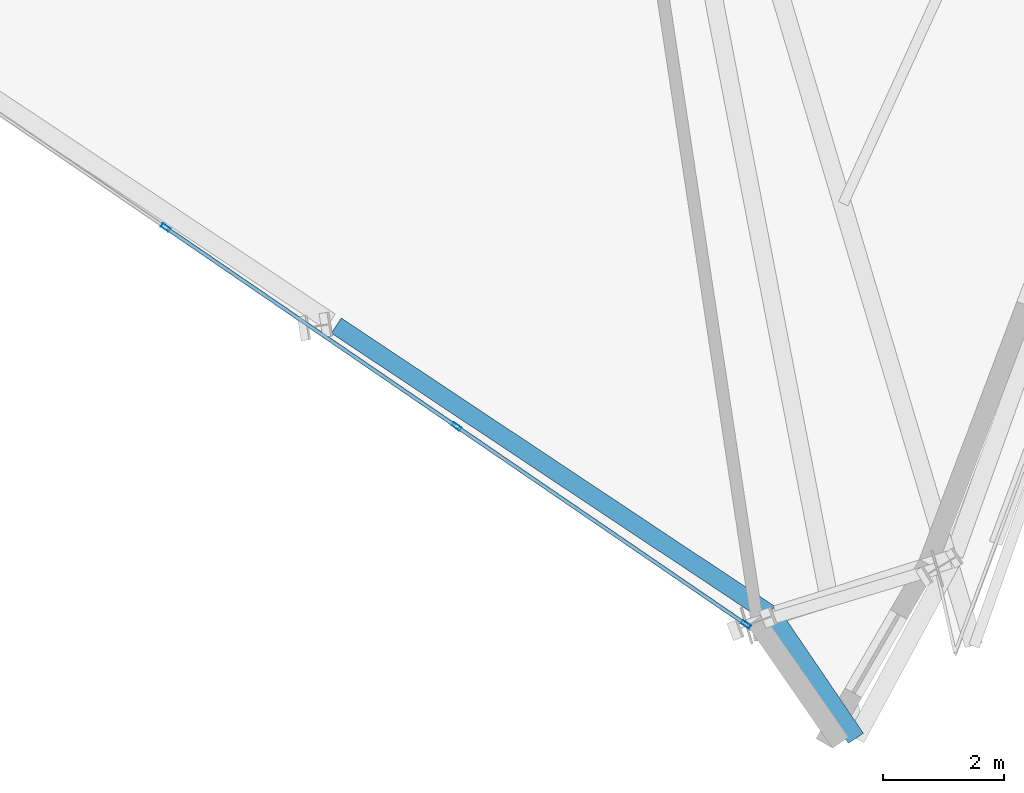
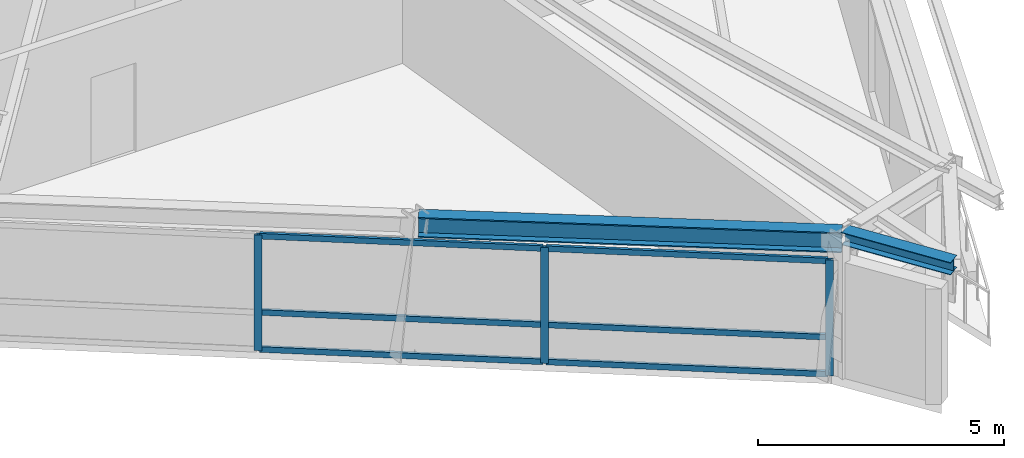
# One storey, part 3 of 13: 9 members, 2 beams, 1 element without a shape of its own.
"""IFC4 building model written with IfcOpenShell, lengths in metres."""

from ifc_helpers import new_model, si_unit, direction, frame, origin, origin_2d, place, context, subcontext, project, spatial, hollow_rectangle, i_section, extrude, source, transform, mapped, material, material_profile, profile_set, type_object, element, aggregate, save


model = new_model("IFC4")

# Units and contexts
model_context = context("Model", 3, precision=1e-05, world=origin(), true_north=direction((0.0, 1.0)))
body_context = subcontext(model_context, "Body", "Model", "MODEL_VIEW")
ifc_project = project(units=[si_unit("LENGTHUNIT", "METRE"), si_unit("AREAUNIT", "SQUARE_METRE"), si_unit("VOLUMEUNIT", "CUBIC_METRE"), si_unit("PLANEANGLEUNIT", "RADIAN"), si_unit("MASSUNIT", "GRAM", prefix="KILO")], contexts=[model_context])

# Site, building, storey
site_placement = place(None, origin())
site = spatial("IfcSite", under=ifc_project, at=site_placement, CompositionType="ELEMENT")
building_placement = place(site_placement, origin())
building = spatial("IfcBuilding", under=site, at=building_placement, Name="Olszyna Solenne Hotel", CompositionType="ELEMENT")
storey_placement = place(building_placement, frame((0.0, 0.0, 241.699951171875)))
storey = spatial("IfcBuildingStorey", under=building, at=storey_placement, Name="L64", CompositionType="ELEMENT", Elevation=241.699951171875)

# Beams
ifc_material_1 = material(Name="Steel S355J2", Category="steel")
ifc_material_profile_1 = material_profile(ifc_material_1, i_section(OverallWidth=0.300048828125, OverallDepth=0.5, WebThickness=0.014404296875, FlangeThickness=0.028076171875, at=origin_2d()), Name="HEB 500", Category="load-bearing")
ifc_profile_set_1 = profile_set([ifc_material_profile_1], Name="Steel S355J2")
beam_type_1 = type_object("IfcBeamType", Name="BM-S3", PredefinedType="BEAM", material=ifc_profile_set_1)
shared_shape_1 = source(origin(), body_context, "Body", "SweptSolid", [
    extrude(i_section(OverallWidth=0.300048828125, OverallDepth=0.5, WebThickness=0.014404296875, FlangeThickness=0.028076171875, at=origin_2d()), origin(), (0.0, 0.0, 1.0), 8.616943359375),
])
beam_1_placement = place(storey_placement, frame((34.548095703125, 8.16259765625, 3.130126953125), z_axis=(0.832729656629, -0.553679798232, 0.0), x_axis=(0.553679798232, 0.832729656629, 0.0)))
element("IfcBeam", 1, at=beam_1_placement, inside=storey, type_object=beam_type_1, Name="Perimeter spandrel beam BM-S3 B-L64-1890", PredefinedType="BEAM", context=body_context, shape_type="MappedRepresentation", body=[
    mapped(shared_shape_1, transform((0.0, 0.0, 0.0), x_axis=(1.0, 0.0, 0.0), y_axis=(0.0, 1.0, 0.0), z_axis=(0.0, 0.0, 1.0), scale=1.0)),
])
ifc_material_profile_2 = material_profile(ifc_material_1, i_section(OverallWidth=0.300048828125, OverallDepth=0.31005859375, WebThickness=0.009033203125, FlangeThickness=0.015380859375, at=origin_2d()), Name="HEA 320", Category="load-bearing")
ifc_profile_set_2 = profile_set([ifc_material_profile_2], Name="Steel S355J2")
beam_type_2 = type_object("IfcBeamType", Name="BM-G3", PredefinedType="BEAM", material=ifc_profile_set_2)
shared_shape_2 = source(origin(), body_context, "Body", "SweptSolid", [
    extrude(i_section(OverallWidth=0.300048828125, OverallDepth=0.31005859375, WebThickness=0.009033203125, FlangeThickness=0.015380859375, at=origin_2d()), origin(), (0.0, 0.0, 1.0), 2.451904296875),
])
beam_2_placement = place(storey_placement, frame((41.773681640625, 3.3583984375, 3.22509765625), z_axis=(0.561757048305, -0.827302253521, 0.0), x_axis=(0.827302253521, 0.561757048305, 0.0)))
element("IfcBeam", 2, at=beam_2_placement, inside=storey, type_object=beam_type_2, Name="Prism side edge beam BM-G3 B-L64-1904", PredefinedType="BEAM", context=body_context, shape_type="MappedRepresentation", body=[
    mapped(shared_shape_2, transform((0.0, 0.0, 0.0), x_axis=(1.0, 0.0, 0.0), y_axis=(0.0, 1.0, 0.0), z_axis=(0.0, 0.0, 1.0), scale=1.0)),
])

# Curtain wall, members
ifc_material_2 = material(Name="Anodised bronze aluminium", Category="aluminium")
curtain_wall_type = type_object("IfcCurtainWallType", Name="CW-SYS-4", PredefinedType="NOTDEFINED", material=ifc_material_2)
curtain_wall_placement = place(storey_placement, origin())
curtain_wall = element("IfcCurtainWall", 3, at=curtain_wall_placement, inside=storey, type_object=curtain_wall_type, Name="Unitised curtain wall CW-SYS-4 CW-L64-01", PredefinedType="NOTDEFINED")
ifc_material_profile_3 = material_profile(ifc_material_2, hollow_rectangle(XDim=0.06494140625, YDim=0.159912109375, WallThickness=0.00390625, at=origin_2d()), Name="MULL 160x65x4", Category="load-bearing")
ifc_profile_set_3 = profile_set([ifc_material_profile_3], Name="Anodised bronze aluminium")
member_type_1 = type_object("IfcMemberType", Name="CW-M3", PredefinedType="MULLION", material=ifc_profile_set_3)
shared_shape_3 = source(origin(), body_context, "Body", "SweptSolid", [
    extrude(hollow_rectangle(XDim=0.06494140625, YDim=0.159912109375, WallThickness=0.00390625, at=origin_2d()), origin(), (0.0, 0.0, 1.0), 2.8720703125),
])
member_1_placement = place(storey_placement, frame((31.723388671875, 9.78515625, 0.0), z_axis=(0.0, 0.0, 1.0), x_axis=(0.564479932101, 0.825446791898, 0.0)))
member_1 = element("IfcMember", 4, at=member_1_placement, type_object=member_type_1, Name="Curtain-wall mullion CW-M3 CM-L64-01-02", PredefinedType="MULLION", context=body_context, shape_type="MappedRepresentation", body=[
    mapped(shared_shape_3, transform((0.0, 0.0, 0.0), x_axis=(1.0, 0.0, 0.0), y_axis=(0.0, 1.0, 0.0), z_axis=(0.0, 0.0, 1.0), scale=1.0)),
])
member_2_placement = place(storey_placement, frame((36.5400390625, 6.4912109375, 0.0), z_axis=(0.0, 0.0, 1.0), x_axis=(0.564479932101, 0.825446791898, 0.0)))
member_2 = element("IfcMember", 5, at=member_2_placement, type_object=member_type_1, Name="Curtain-wall mullion CW-M3 CM-L64-01-03", PredefinedType="MULLION", context=body_context, shape_type="MappedRepresentation", body=[
    mapped(shared_shape_3, transform((0.0, 0.0, 0.0), x_axis=(1.0, 0.0, 0.0), y_axis=(0.0, 1.0, 0.0), z_axis=(0.0, 0.0, 1.0), scale=1.0)),
])
member_3_placement = place(storey_placement, frame((41.329833984375, 3.2158203125, 0.0), z_axis=(0.0, 0.0, 1.0), x_axis=(0.564479932101, 0.825446791898, 0.0)))
member_3 = element("IfcMember", 6, at=member_3_placement, type_object=member_type_1, Name="Curtain-wall mullion CW-M3 CM-L64-01-04", PredefinedType="MULLION", context=body_context, shape_type="MappedRepresentation", body=[
    mapped(shared_shape_3, transform((0.0, 0.0, 0.0), x_axis=(1.0, 0.0, 0.0), y_axis=(0.0, 1.0, 0.0), z_axis=(0.0, 0.0, 1.0), scale=1.0)),
])
ifc_material_profile_4 = material_profile(ifc_material_2, hollow_rectangle(XDim=0.06494140625, YDim=0.139892578125, WallThickness=0.00390625, at=origin_2d()), Name="TRAN 140x65x4", Category="load-bearing")
ifc_profile_set_4 = profile_set([ifc_material_profile_4], Name="Anodised bronze aluminium")
member_type_2 = type_object("IfcMemberType", Name="CW-T2", PredefinedType="USERDEFINED", material=ifc_profile_set_4)
shared_shape_4 = source(origin(), body_context, "Body", "SweptSolid", [
    extrude(hollow_rectangle(XDim=0.06494140625, YDim=0.139892578125, WallThickness=0.00390625, at=origin_2d()), origin(), (0.0, 0.0, 1.0), 5.73779296875),
])
member_4_placement = place(storey_placement, frame((36.566650390625, 6.472900390625, 0.032470703125), z_axis=(0.825459606454, -0.564461192743, 0.0), x_axis=(0.564461192743, 0.825459606454, 0.0)))
member_4 = element("IfcMember", 7, at=member_4_placement, type_object=member_type_2, Name="Curtain-wall transom CW-T2 CT-L64-01-07", ObjectType="TRANSOM", PredefinedType="USERDEFINED", context=body_context, shape_type="MappedRepresentation", body=[
    mapped(shared_shape_4, transform((0.0, 0.0, 0.0), x_axis=(1.0, 0.0, 0.0), y_axis=(0.0, 1.0, 0.0), z_axis=(0.0, 0.0, 1.0), scale=1.0)),
])
member_5_placement = place(storey_placement, frame((36.566650390625, 6.472900390625, 0.949951171875), z_axis=(0.825459606454, -0.564461192743, 0.0), x_axis=(0.564461192743, 0.825459606454, 0.0)))
member_5 = element("IfcMember", 8, at=member_5_placement, type_object=member_type_2, Name="Curtain-wall transom CW-T2 CT-L64-01-08", ObjectType="TRANSOM", PredefinedType="USERDEFINED", context=body_context, shape_type="MappedRepresentation", body=[
    mapped(shared_shape_4, transform((0.0, 0.0, 0.0), x_axis=(1.0, 0.0, 0.0), y_axis=(0.0, 1.0, 0.0), z_axis=(0.0, 0.0, 1.0), scale=1.0)),
])
member_6_placement = place(storey_placement, frame((36.566650390625, 6.472900390625, 2.839599609375), z_axis=(0.825459606454, -0.564461192743, 0.0), x_axis=(0.564461192743, 0.825459606454, 0.0)))
member_6 = element("IfcMember", 9, at=member_6_placement, type_object=member_type_2, Name="Curtain-wall transom CW-T2 CT-L64-01-09", ObjectType="TRANSOM", PredefinedType="USERDEFINED", context=body_context, shape_type="MappedRepresentation", body=[
    mapped(shared_shape_4, transform((0.0, 0.0, 0.0), x_axis=(1.0, 0.0, 0.0), y_axis=(0.0, 1.0, 0.0), z_axis=(0.0, 0.0, 1.0), scale=1.0)),
])
shared_shape_5 = source(origin(), body_context, "Body", "SweptSolid", [
    extrude(hollow_rectangle(XDim=0.06494140625, YDim=0.139892578125, WallThickness=0.00390625, at=origin_2d()), origin(), (0.0, 0.0, 1.0), 5.7705078125),
])
member_7_placement = place(storey_placement, frame((31.75, 9.766845703125, 0.032470703125), z_axis=(0.825444221607, -0.564483690655, 0.0), x_axis=(0.564483690655, 0.825444221607, 0.0)))
member_7 = element("IfcMember", 10, at=member_7_placement, type_object=member_type_2, Name="Curtain-wall transom CW-T2 CT-L64-01-04", ObjectType="TRANSOM", PredefinedType="USERDEFINED", context=body_context, shape_type="MappedRepresentation", body=[
    mapped(shared_shape_5, transform((0.0, 0.0, 0.0), x_axis=(1.0, 0.0, 0.0), y_axis=(0.0, 1.0, 0.0), z_axis=(0.0, 0.0, 1.0), scale=1.0)),
])
member_8_placement = place(storey_placement, frame((31.75, 9.766845703125, 0.949951171875), z_axis=(0.825444221607, -0.564483690655, 0.0), x_axis=(0.564483690655, 0.825444221607, 0.0)))
member_8 = element("IfcMember", 11, at=member_8_placement, type_object=member_type_2, Name="Curtain-wall transom CW-T2 CT-L64-01-05", ObjectType="TRANSOM", PredefinedType="USERDEFINED", context=body_context, shape_type="MappedRepresentation", body=[
    mapped(shared_shape_5, transform((0.0, 0.0, 0.0), x_axis=(1.0, 0.0, 0.0), y_axis=(0.0, 1.0, 0.0), z_axis=(0.0, 0.0, 1.0), scale=1.0)),
])
member_9_placement = place(storey_placement, frame((31.75, 9.766845703125, 2.839599609375), z_axis=(0.825444221607, -0.564483690655, 0.0), x_axis=(0.564483690655, 0.825444221607, 0.0)))
member_9 = element("IfcMember", 12, at=member_9_placement, type_object=member_type_2, Name="Curtain-wall transom CW-T2 CT-L64-01-06", ObjectType="TRANSOM", PredefinedType="USERDEFINED", context=body_context, shape_type="MappedRepresentation", body=[
    mapped(shared_shape_5, transform((0.0, 0.0, 0.0), x_axis=(1.0, 0.0, 0.0), y_axis=(0.0, 1.0, 0.0), z_axis=(0.0, 0.0, 1.0), scale=1.0)),
])
aggregate(curtain_wall, [member_1, member_2, member_3, member_7, member_8, member_9, member_4, member_5, member_6])

save(model, "model.ifc")
